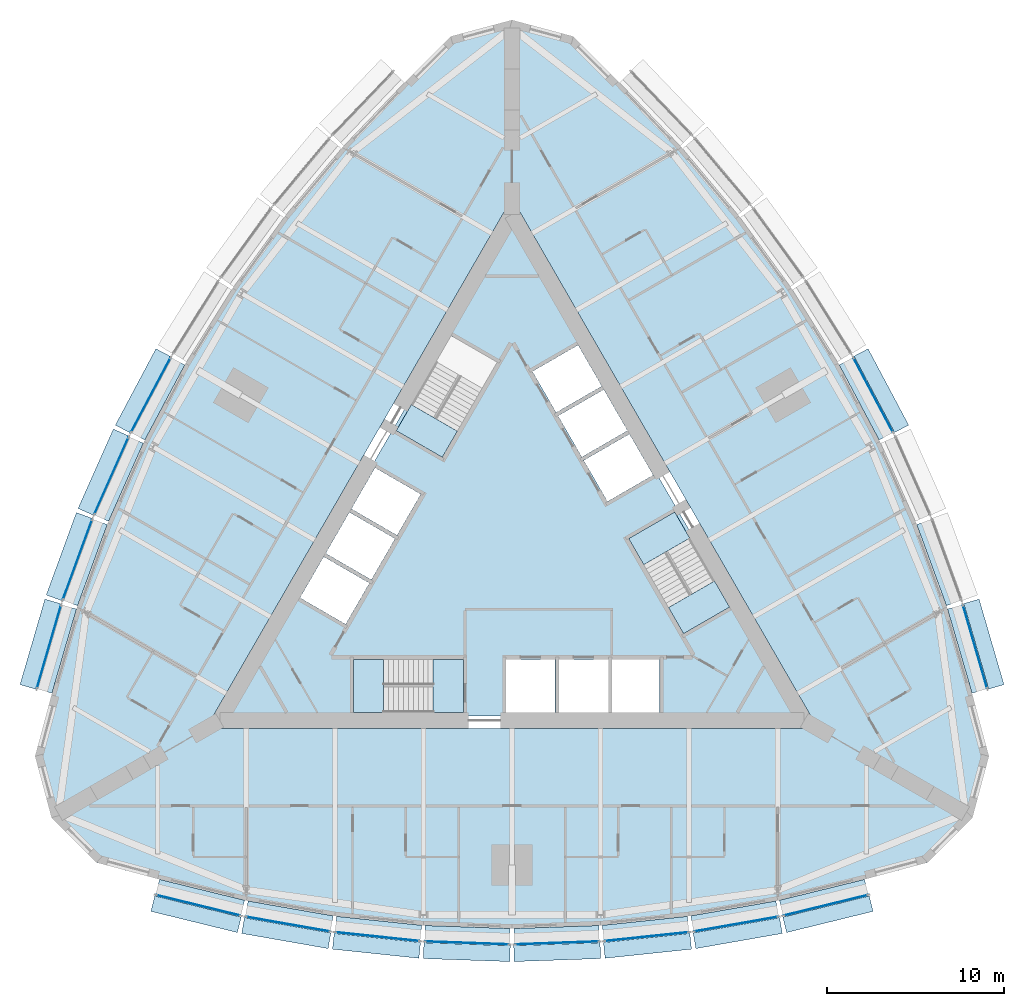
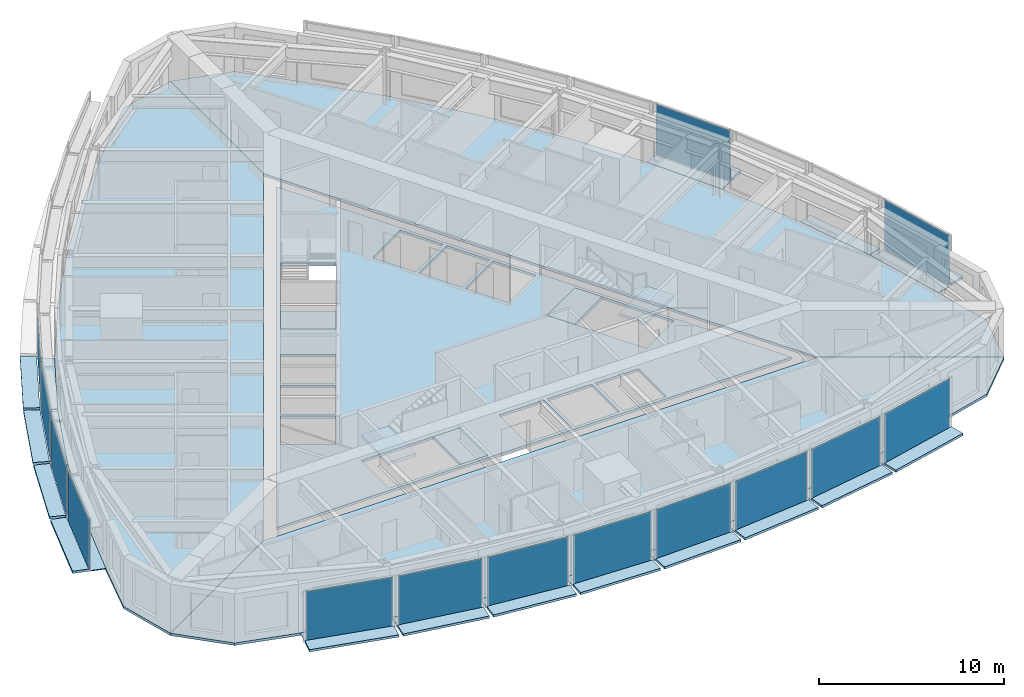
# One storey, part 6 of 14: 43 plates, 9 slabs, 17 elements without a shape of their own.
"""IFC4 building model written with IfcOpenShell, lengths in metres."""

from ifc_helpers import new_model, si_unit, direction, frame, origin, origin_2d, place, context, subcontext, project, spatial, polyline, rectangle, outline, extrude, material, layer, layer_set, type_object, element, aggregate, save


model = new_model("IFC4")

# Units and contexts
model_context = context("Model", 3, precision=1e-05, world=origin(), true_north=direction((0.0, 1.0)))
body_context = subcontext(model_context, "Body", "Model", "MODEL_VIEW")
ifc_project = project(units=[si_unit("LENGTHUNIT", "METRE"), si_unit("AREAUNIT", "SQUARE_METRE"), si_unit("VOLUMEUNIT", "CUBIC_METRE"), si_unit("PLANEANGLEUNIT", "RADIAN"), si_unit("MASSUNIT", "GRAM", prefix="KILO")], contexts=[model_context])

# Site, building, storey
site_placement = place(None, origin())
site = spatial("IfcSite", under=ifc_project, at=site_placement, CompositionType="ELEMENT")
building_placement = place(site_placement, origin())
building = spatial("IfcBuilding", under=site, at=building_placement, Name="Trikona Tower", CompositionType="ELEMENT")
storey_placement = place(building_placement, frame((0.0, 0.0, 165.699951171875)))
storey = spatial("IfcBuildingStorey", under=building, at=storey_placement, Name="L44", CompositionType="ELEMENT", Elevation=165.699951171875)

# Plates
ifc_material_1 = material(Name="Aluminium bar grating", Category="aluminium")
ifc_layer_1 = layer(ifc_material_1, 0.050048828125)
ifc_layer_set_1 = layer_set([ifc_layer_1], Name="Cavity catwalk grating")
plate_type_1 = type_object("IfcPlateType", Name="Cavity catwalk grating", PredefinedType="USERDEFINED", material=ifc_layer_set_1)
plate_1_placement = place(storey_placement, frame((-17.598876953125, -19.49072265625, -0.0498046875), z_axis=(0.0, 0.0, 1.0), x_axis=(0.971274411564, -0.237962218516, 0.0)))
element("IfcPlate", 1, at=plate_1_placement, inside=storey, type_object=plate_type_1, Name="Cavity catwalk L44-00", ObjectType="CATWALK GRATING", PredefinedType="USERDEFINED", context=body_context, shape_type="SweptSolid", body=[
    extrude(rectangle(XDim=4.947998046875, YDim=0.830078125, at=origin_2d()), origin(), (0.0, 0.0, 1.0), 0.050048828125),
])
plate_2_placement = place(storey_placement, frame((-12.571533203125, -20.54638671875, -0.0498046875), z_axis=(0.0, 0.0, 1.0), x_axis=(0.985030604067, -0.172379549401, 0.0)))
element("IfcPlate", 2, at=plate_2_placement, inside=storey, type_object=plate_type_1, Name="Cavity catwalk L44-01", ObjectType="CATWALK GRATING", PredefinedType="USERDEFINED", context=body_context, shape_type="SweptSolid", body=[
    extrude(rectangle(XDim=4.8759765625, YDim=0.830078125, at=origin_2d()), origin(), (0.0, 0.0, 1.0), 0.050048828125),
])
plate_3_placement = place(storey_placement, frame((-7.543212890625, -21.25048828125, -0.0498046875), z_axis=(0.0, 0.0, 1.0), x_axis=(0.994532653854, -0.104426052392, 0.0)))
element("IfcPlate", 3, at=plate_3_placement, inside=storey, type_object=plate_type_1, Name="Cavity catwalk L44-02", ObjectType="CATWALK GRATING", PredefinedType="USERDEFINED", context=body_context, shape_type="SweptSolid", body=[
    extrude(rectangle(XDim=4.827392578125, YDim=0.830078125, at=origin_2d()), origin(), (0.0, 0.0, 1.0), 0.050048828125),
])
for number, where, z_axis, x_axis, name in (
    (4, (-2.514404296875, -21.602294921875, -0.0498046875), (0.0, 0.0, 1.0), (0.999388082937, -0.034977988567, 0.0), "Cavity catwalk L44-03"),
    (5, (2.514404296875, -21.602294921875, -0.0498046875), (0.0, 0.0, 1.0), (0.999388082937, 0.034977988567, 0.0), "Cavity catwalk L44-04"),
):
    element("IfcPlate", number, at=place(storey_placement, frame(where, z_axis=z_axis, x_axis=x_axis)), inside=storey, type_object=plate_type_1, Name=name, ObjectType="CATWALK GRATING", PredefinedType="USERDEFINED", context=body_context, shape_type="SweptSolid", body=[
        extrude(rectangle(XDim=4.802978515625, YDim=0.830078125, at=origin_2d()), origin(), (0.0, 0.0, 1.0), 0.050048828125),
    ])
plate_4_placement = place(storey_placement, frame((7.543212890625, -21.25048828125, -0.0498046875), z_axis=(0.0, 0.0, 1.0), x_axis=(0.994532653854, 0.104426052392, 0.0)))
element("IfcPlate", 6, at=plate_4_placement, inside=storey, type_object=plate_type_1, Name="Cavity catwalk L44-05", ObjectType="CATWALK GRATING", PredefinedType="USERDEFINED", context=body_context, shape_type="SweptSolid", body=[
    extrude(rectangle(XDim=4.827392578125, YDim=0.830078125, at=origin_2d()), origin(), (0.0, 0.0, 1.0), 0.050048828125),
])
plate_5_placement = place(storey_placement, frame((12.571533203125, -20.54638671875, -0.0498046875), z_axis=(0.0, 0.0, 1.0), x_axis=(0.985030604067, 0.172379549401, 0.0)))
element("IfcPlate", 7, at=plate_5_placement, inside=storey, type_object=plate_type_1, Name="Cavity catwalk L44-06", ObjectType="CATWALK GRATING", PredefinedType="USERDEFINED", context=body_context, shape_type="SweptSolid", body=[
    extrude(rectangle(XDim=4.8759765625, YDim=0.830078125, at=origin_2d()), origin(), (0.0, 0.0, 1.0), 0.050048828125),
])
plate_6_placement = place(storey_placement, frame((17.598876953125, -19.49072265625, -0.0498046875), z_axis=(0.0, 0.0, 1.0), x_axis=(0.971274411564, 0.237962218516, 0.0)))
element("IfcPlate", 8, at=plate_6_placement, inside=storey, type_object=plate_type_1, Name="Cavity catwalk L44-07", ObjectType="CATWALK GRATING", PredefinedType="USERDEFINED", context=body_context, shape_type="SweptSolid", body=[
    extrude(rectangle(XDim=4.947998046875, YDim=0.830078125, at=origin_2d()), origin(), (0.0, 0.0, 1.0), 0.050048828125),
])
plate_7_placement = place(storey_placement, frame((25.678955078125, -5.49560546875, -0.0498046875), z_axis=(0.0, 0.0, 1.0), x_axis=(-0.279554203664, 0.960129911634, 0.0)))
element("IfcPlate", 9, at=plate_7_placement, inside=storey, type_object=plate_type_1, Name="Cavity catwalk L44-12", ObjectType="CATWALK GRATING", PredefinedType="USERDEFINED", context=body_context, shape_type="SweptSolid", body=[
    extrude(rectangle(XDim=4.94775390625, YDim=0.830078125, at=origin_2d()), origin(), (0.0, 0.0, 1.0), 0.050048828125),
])
plate_8_placement = place(storey_placement, frame((24.07958984375, -0.614013671875, -0.0498046875), z_axis=(0.0, 0.0, 1.0), x_axis=(-0.343220397324, 0.939254895575, 0.0)))
element("IfcPlate", 10, at=plate_8_placement, inside=storey, type_object=plate_type_1, Name="Cavity catwalk L44-13", ObjectType="CATWALK GRATING", PredefinedType="USERDEFINED", context=body_context, shape_type="SweptSolid", body=[
    extrude(rectangle(XDim=4.8759765625, YDim=0.830078125, at=origin_2d()), origin(), (0.0, 0.0, 1.0), 0.050048828125),
])
for number, where, z_axis, x_axis, name in (
    (11, (19.965576171875, 8.62353515625, -0.0498046875), (0.0, 0.0, 1.0), (-0.469397591494, 0.882986920118, 0.0), "Cavity catwalk L44-15"),
    (12, (-19.965576171875, 8.62353515625, -0.0498046875), (0.0, 0.0, 1.0), (-0.469397591494, -0.882986920118, 0.0), "Cavity catwalk L44-28"),
):
    element("IfcPlate", number, at=place(storey_placement, frame(where, z_axis=z_axis, x_axis=x_axis)), inside=storey, type_object=plate_type_1, Name=name, ObjectType="CATWALK GRATING", PredefinedType="USERDEFINED", context=body_context, shape_type="SweptSolid", body=[
        extrude(rectangle(XDim=4.802978515625, YDim=0.830078125, at=origin_2d()), origin(), (0.0, 0.0, 1.0), 0.050048828125),
    ])
plate_9_placement = place(storey_placement, frame((-22.175048828125, 4.092529296875, -0.0498046875), z_axis=(0.0, 0.0, 1.0), x_axis=(-0.406843467615, -0.913497888809, 0.0)))
element("IfcPlate", 13, at=plate_9_placement, inside=storey, type_object=plate_type_1, Name="Cavity catwalk L44-29", ObjectType="CATWALK GRATING", PredefinedType="USERDEFINED", context=body_context, shape_type="SweptSolid", body=[
    extrude(rectangle(XDim=4.827392578125, YDim=0.830078125, at=origin_2d()), origin(), (0.0, 0.0, 1.0), 0.050048828125),
])
plate_10_placement = place(storey_placement, frame((-24.07958984375, -0.614013671875, -0.0498046875), z_axis=(0.0, 0.0, 1.0), x_axis=(-0.343220397324, -0.939254895575, 0.0)))
element("IfcPlate", 14, at=plate_10_placement, inside=storey, type_object=plate_type_1, Name="Cavity catwalk L44-30", ObjectType="CATWALK GRATING", PredefinedType="USERDEFINED", context=body_context, shape_type="SweptSolid", body=[
    extrude(rectangle(XDim=4.8759765625, YDim=0.830078125, at=origin_2d()), origin(), (0.0, 0.0, 1.0), 0.050048828125),
])
plate_11_placement = place(storey_placement, frame((-25.678955078125, -5.49560546875, -0.0498046875), z_axis=(0.0, 0.0, 1.0), x_axis=(-0.279554203664, -0.960129911634, 0.0)))
element("IfcPlate", 15, at=plate_11_placement, inside=storey, type_object=plate_type_1, Name="Cavity catwalk L44-31", ObjectType="CATWALK GRATING", PredefinedType="USERDEFINED", context=body_context, shape_type="SweptSolid", body=[
    extrude(rectangle(XDim=4.94775390625, YDim=0.830078125, at=origin_2d()), origin(), (0.0, 0.0, 1.0), 0.050048828125),
])

# Slabs
ifc_material_2 = material(Name="Concrete f'c 5000 psi lightweight on composite steel deck", Category="concrete")
ifc_layer_2 = layer(ifc_material_2, 0.1650390625)
ifc_layer_set_2 = layer_set([ifc_layer_2], Name="Composite floor slab 165")
slab_type_1 = type_object("IfcSlabType", Name="Composite floor slab 165", PredefinedType="FLOOR", material=ifc_layer_set_2)
slab_1_placement = place(storey_placement, frame((0.0, 0.0, -0.1650390625)))
element("IfcSlab", 16, at=slab_1_placement, inside=storey, type_object=slab_type_1, Name="Floor slab L44 core", PredefinedType="FLOOR", context=body_context, shape_type="SweptSolid", body=[
    extrude(outline(polyline([(-16.06689453125, -9.2763671875), (16.06689453125, -9.2763671875), (0.0, 18.552490234375), (-16.06689453125, -9.2763671875)]), holes=[polyline([(12.285400390625, -3.126220703125), (9.185302734375, 2.2431640625), (6.587158203125, 0.7431640625), (9.687255859375, -4.626220703125), (12.285400390625, -3.126220703125)]), polyline([(8.340087890625, -9.06640625), (8.340087890625, -6.086181640625), (5.659912109375, -6.086181640625), (5.659912109375, -9.06640625), (8.340087890625, -9.06640625)]), polyline([(5.390869140625, 2.835205078125), (7.9716796875, 4.3251953125), (6.631591796875, 6.646240234375), (4.05078125, 5.15625), (5.390869140625, 2.835205078125)]), polyline([(2.600830078125, 7.667724609375), (3.94091796875, 5.3466796875), (6.521484375, 6.8369140625), (5.181640625, 9.15771484375), (2.600830078125, 7.667724609375)]), polyline([(5.43994140625, -6.086181640625), (2.659912109375, -6.086181640625), (2.659912109375, -9.06640625), (5.43994140625, -9.06640625), (5.43994140625, -6.086181640625)]), polyline([(3.731689453125, 11.669189453125), (1.15087890625, 10.17919921875), (2.490966796875, 7.858154296875), (5.071533203125, 9.34814453125), (3.731689453125, 11.669189453125)]), polyline([(-0.340087890625, -6.086181640625), (-0.340087890625, -9.06640625), (2.43994140625, -9.06640625), (2.43994140625, -6.086181640625), (-0.340087890625, -6.086181640625)]), polyline([(-3.435302734375, 12.202392578125), (-6.535400390625, 6.8330078125), (-3.937255859375, 5.3330078125), (-0.837158203125, 10.702392578125), (-3.435302734375, 12.202392578125)]), polyline([(-8.949951171875, -9.076416015625), (-2.75, -9.076416015625), (-2.75, -6.076416015625), (-8.949951171875, -6.076416015625), (-8.949951171875, -9.076416015625)]), polyline([(-5.15087890625, 3.2509765625), (-7.731689453125, 4.740966796875), (-9.071533203125, 2.419921875), (-6.490966796875, 0.929931640625), (-5.15087890625, 3.2509765625)]), polyline([(-7.94091796875, -1.581298828125), (-6.600830078125, 0.739501953125), (-9.181640625, 2.2294921875), (-10.521484375, -0.09130859375), (-7.94091796875, -1.581298828125)]), polyline([(-11.9716796875, -2.602783203125), (-9.390869140625, -4.093017578125), (-8.05078125, -1.77197265625), (-10.631591796875, -0.281982421875), (-11.9716796875, -2.602783203125)])]), origin(), (0.0, 0.0, 1.0), 0.1650390625),
])
slab_2_placement = place(storey_placement, frame((0.0, 0.0, -0.1650390625)))
element("IfcSlab", 17, at=slab_2_placement, inside=storey, type_object=slab_type_1, Name="Floor slab L44 south", PredefinedType="FLOOR", context=body_context, shape_type="SweptSolid", body=[
    extrude(outline(polyline([(23.464111328125, -17.547119140625), (26.0, -15.010986328125), (17.279296875, -9.976318359375), (-17.279296875, -9.976318359375), (-26.0, -15.010986328125), (-23.464111328125, -17.547119140625), (-20.0, -18.47509765625), (-15.0, -19.7001953125), (-10.0, -20.5751953125), (-5.0, -21.10009765625), (0.0, -21.275146484375), (5.0, -21.10009765625), (10.0, -20.5751953125), (15.0, -19.7001953125), (20.0, -18.47509765625), (23.464111328125, -17.547119140625)])), origin(), (0.0, 0.0, 1.0), 0.1650390625),
])
slab_3_placement = place(storey_placement, frame((0.0, 0.0, -0.1650390625)))
element("IfcSlab", 18, at=slab_3_placement, inside=storey, type_object=slab_type_1, Name="Floor slab L44 north-east", PredefinedType="FLOOR", context=body_context, shape_type="SweptSolid", body=[
    extrude(outline(polyline([(3.464111328125, 29.093994140625), (0.0, 30.022216796875), (0.0, 19.95263671875), (17.279296875, -9.976318359375), (26.0, -15.010986328125), (26.92822265625, -11.547119140625), (26.0, -8.0830078125), (24.560791015625, -3.140380859375), (22.818603515625, 1.62744140625), (20.773193359375, 6.219970703125), (18.4248046875, 10.6376953125), (15.773193359375, 14.880126953125), (12.818603515625, 18.947998046875), (9.560791015625, 22.840576171875), (6.0, 26.55810546875), (3.464111328125, 29.093994140625)])), origin(), (0.0, 0.0, 1.0), 0.1650390625),
])
slab_4_placement = place(storey_placement, frame((0.0, 0.0, -0.1650390625)))
element("IfcSlab", 19, at=slab_4_placement, inside=storey, type_object=slab_type_1, Name="Floor slab L44 north-west", PredefinedType="FLOOR", context=body_context, shape_type="SweptSolid", body=[
    extrude(outline(polyline([(0.0, 19.95263671875), (0.0, 30.022216796875), (-3.464111328125, 29.093994140625), (-6.0, 26.55810546875), (-9.560791015625, 22.840576171875), (-12.818603515625, 18.947998046875), (-15.773193359375, 14.880126953125), (-18.4248046875, 10.6376953125), (-20.773193359375, 6.219970703125), (-22.818603515625, 1.62744140625), (-24.560791015625, -3.140380859375), (-26.0, -8.0830078125), (-26.92822265625, -11.547119140625), (-26.0, -15.010986328125), (-17.279296875, -9.976318359375), (0.0, 19.95263671875)])), origin(), (0.0, 0.0, 1.0), 0.1650390625),
])

# Curtain wall, plate
ifc_material_3 = material(Name="Aluminium curtain wall system", Category="aluminium")
curtain_wall_type = type_object("IfcCurtainWallType", Name="Curtain wall DS2", PredefinedType="NOTDEFINED", material=ifc_material_3)
curtain_wall_1_placement = place(storey_placement, origin())
curtain_wall_1 = element("IfcCurtainWall", 20, at=curtain_wall_1_placement, inside=storey, type_object=curtain_wall_type, Name="Curtain wall DS2 L44", PredefinedType="NOTDEFINED")
ifc_material_4 = material(Name="Laminated clear glass", Category="glass")
ifc_layer_3 = layer(ifc_material_4, 0.028076171875)
ifc_layer_set_3 = layer_set([ifc_layer_3], Name="Glass panel DS2")
plate_type_2 = type_object("IfcPlateType", Name="Glass panel DS2", PredefinedType="CURTAIN_PANEL", material=ifc_layer_set_3)
plate_12_placement = place(storey_placement, frame((-17.714111328125, -19.9619140625, 0.0), z_axis=(0.0, 0.0, 1.0), x_axis=(0.971272455026, -0.237970204243, 0.0)))
plate_12 = element("IfcPlate", 21, at=plate_12_placement, type_object=plate_type_2, Name="CW-DS2 panel 1.1", PredefinedType="CURTAIN_PANEL", context=body_context, shape_type="SweptSolid", body=[
    extrude(rectangle(XDim=4.867919921875, YDim=0.028076171875, at=origin_2d()), origin(), (0.0, 0.0, 1.0), 3.320068359375),
])
aggregate(curtain_wall_1, [plate_12])

curtain_wall_2_placement = place(storey_placement, origin())
curtain_wall_2 = element("IfcCurtainWall", 22, at=curtain_wall_2_placement, inside=storey, type_object=curtain_wall_type, Name="Curtain wall DS2 L44", PredefinedType="NOTDEFINED")
plate_13_placement = place(storey_placement, frame((-12.655029296875, -21.024169921875, 0.0), z_axis=(0.0, 0.0, 1.0), x_axis=(0.985030981074, -0.17237739505, 0.0)))
plate_13 = element("IfcPlate", 23, at=plate_13_placement, type_object=plate_type_2, Name="CW-DS2 panel 1.1", PredefinedType="CURTAIN_PANEL", context=body_context, shape_type="SweptSolid", body=[
    extrude(rectangle(XDim=4.7958984375, YDim=0.028076171875, at=origin_2d()), origin(), (0.0, 0.0, 1.0), 3.320068359375),
])
aggregate(curtain_wall_2, [plate_13])

curtain_wall_3_placement = place(storey_placement, origin())
curtain_wall_3 = element("IfcCurtainWall", 24, at=curtain_wall_3_placement, inside=storey, type_object=curtain_wall_type, Name="Curtain wall DS2 L44", PredefinedType="NOTDEFINED")
plate_14_placement = place(storey_placement, frame((-7.593994140625, -21.732666015625, 0.0), z_axis=(0.0, 0.0, 1.0), x_axis=(0.994531883654, -0.104433387357, 0.0)))
plate_14 = element("IfcPlate", 25, at=plate_14_placement, type_object=plate_type_2, Name="CW-DS2 panel 1.1", PredefinedType="CURTAIN_PANEL", context=body_context, shape_type="SweptSolid", body=[
    extrude(rectangle(XDim=4.747314453125, YDim=0.028076171875, at=origin_2d()), origin(), (0.0, 0.0, 1.0), 3.320068359375),
])
aggregate(curtain_wall_3, [plate_14])

curtain_wall_4_placement = place(storey_placement, origin())
curtain_wall_4 = element("IfcCurtainWall", 26, at=curtain_wall_4_placement, inside=storey, type_object=curtain_wall_type, Name="Curtain wall DS2 L44", PredefinedType="NOTDEFINED")
plate_15_placement = place(storey_placement, frame((-2.531494140625, -22.087158203125, 0.0), z_axis=(0.0, 0.0, 1.0), x_axis=(0.99938737114, -0.034998320052, 0.0)))
plate_15 = element("IfcPlate", 27, at=plate_15_placement, type_object=plate_type_2, Name="CW-DS2 panel 1.1", PredefinedType="CURTAIN_PANEL", context=body_context, shape_type="SweptSolid", body=[
    extrude(rectangle(XDim=4.72314453125, YDim=0.028076171875, at=origin_2d()), origin(), (0.0, 0.0, 1.0), 3.320068359375),
])
aggregate(curtain_wall_4, [plate_15])

curtain_wall_5_placement = place(storey_placement, origin())
curtain_wall_5 = element("IfcCurtainWall", 28, at=curtain_wall_5_placement, inside=storey, type_object=curtain_wall_type, Name="Curtain wall DS2 L44", PredefinedType="NOTDEFINED")
plate_16_placement = place(storey_placement, frame((2.531494140625, -22.087158203125, 0.0), z_axis=(0.0, 0.0, 1.0), x_axis=(0.99938737114, 0.034998320052, 0.0)))
plate_16 = element("IfcPlate", 29, at=plate_16_placement, type_object=plate_type_2, Name="CW-DS2 panel 1.1", PredefinedType="CURTAIN_PANEL", context=body_context, shape_type="SweptSolid", body=[
    extrude(rectangle(XDim=4.72314453125, YDim=0.028076171875, at=origin_2d()), origin(), (0.0, 0.0, 1.0), 3.320068359375),
])
aggregate(curtain_wall_5, [plate_16])

curtain_wall_6_placement = place(storey_placement, origin())
curtain_wall_6 = element("IfcCurtainWall", 30, at=curtain_wall_6_placement, inside=storey, type_object=curtain_wall_type, Name="Curtain wall DS2 L44", PredefinedType="NOTDEFINED")
plate_17_placement = place(storey_placement, frame((7.593994140625, -21.732666015625, 0.0), z_axis=(0.0, 0.0, 1.0), x_axis=(0.994531883654, 0.104433387357, 0.0)))
plate_17 = element("IfcPlate", 31, at=plate_17_placement, type_object=plate_type_2, Name="CW-DS2 panel 1.1", PredefinedType="CURTAIN_PANEL", context=body_context, shape_type="SweptSolid", body=[
    extrude(rectangle(XDim=4.747314453125, YDim=0.028076171875, at=origin_2d()), origin(), (0.0, 0.0, 1.0), 3.320068359375),
])
aggregate(curtain_wall_6, [plate_17])

curtain_wall_7_placement = place(storey_placement, origin())
curtain_wall_7 = element("IfcCurtainWall", 32, at=curtain_wall_7_placement, inside=storey, type_object=curtain_wall_type, Name="Curtain wall DS2 L44", PredefinedType="NOTDEFINED")
plate_18_placement = place(storey_placement, frame((12.655029296875, -21.024169921875, 0.0), z_axis=(0.0, 0.0, 1.0), x_axis=(0.985030981074, 0.17237739505, 0.0)))
plate_18 = element("IfcPlate", 33, at=plate_18_placement, type_object=plate_type_2, Name="CW-DS2 panel 1.1", PredefinedType="CURTAIN_PANEL", context=body_context, shape_type="SweptSolid", body=[
    extrude(rectangle(XDim=4.7958984375, YDim=0.028076171875, at=origin_2d()), origin(), (0.0, 0.0, 1.0), 3.320068359375),
])
aggregate(curtain_wall_7, [plate_18])

curtain_wall_8_placement = place(storey_placement, origin())
curtain_wall_8 = element("IfcCurtainWall", 34, at=curtain_wall_8_placement, inside=storey, type_object=curtain_wall_type, Name="Curtain wall DS2 L44", PredefinedType="NOTDEFINED")
plate_19_placement = place(storey_placement, frame((17.714111328125, -19.9619140625, 0.0), z_axis=(0.0, 0.0, 1.0), x_axis=(0.971272455026, 0.237970204243, 0.0)))
plate_19 = element("IfcPlate", 35, at=plate_19_placement, type_object=plate_type_2, Name="CW-DS2 panel 1.1", PredefinedType="CURTAIN_PANEL", context=body_context, shape_type="SweptSolid", body=[
    extrude(rectangle(XDim=4.867919921875, YDim=0.028076171875, at=origin_2d()), origin(), (0.0, 0.0, 1.0), 3.320068359375),
])
aggregate(curtain_wall_8, [plate_19])

curtain_wall_9_placement = place(storey_placement, origin())
curtain_wall_9 = element("IfcCurtainWall", 36, at=curtain_wall_9_placement, inside=storey, type_object=curtain_wall_type, Name="Curtain wall DS2 L44", PredefinedType="NOTDEFINED")
plate_20_placement = place(storey_placement, frame((26.14453125, -5.360107421875, 0.0), z_axis=(0.0, 0.0, 1.0), x_axis=(-0.279543247757, 0.96013310152, 0.0)))
plate_20 = element("IfcPlate", 37, at=plate_20_placement, type_object=plate_type_2, Name="CW-DS2 panel 1.1", PredefinedType="CURTAIN_PANEL", context=body_context, shape_type="SweptSolid", body=[
    extrude(rectangle(XDim=4.867919921875, YDim=0.028076171875, at=origin_2d()), origin(), (0.0, 0.0, 1.0), 3.320068359375),
])
aggregate(curtain_wall_9, [plate_20])

curtain_wall_10_placement = place(storey_placement, origin())
curtain_wall_10 = element("IfcCurtainWall", 38, at=curtain_wall_10_placement, inside=storey, type_object=curtain_wall_type, Name="Curtain wall DS2 L44", PredefinedType="NOTDEFINED")
plate_21_placement = place(storey_placement, frame((20.393798828125, 8.851318359375, 0.0), z_axis=(0.0, 0.0, 1.0), x_axis=(-0.469380308937, 0.882996107343, 0.0)))
plate_21 = element("IfcPlate", 39, at=plate_21_placement, type_object=plate_type_2, Name="CW-DS2 panel 1.1", PredefinedType="CURTAIN_PANEL", context=body_context, shape_type="SweptSolid", body=[
    extrude(rectangle(XDim=4.72314453125, YDim=0.028076171875, at=origin_2d()), origin(), (0.0, 0.0, 1.0), 3.320068359375),
])
aggregate(curtain_wall_10, [plate_21])

curtain_wall_11_placement = place(storey_placement, origin())
curtain_wall_11 = element("IfcCurtainWall", 40, at=curtain_wall_11_placement, inside=storey, type_object=curtain_wall_type, Name="Curtain wall DS2 L44", PredefinedType="NOTDEFINED")
plate_22_placement = place(storey_placement, frame((-20.393798828125, 8.851318359375, 0.0), z_axis=(0.0, 0.0, 1.0), x_axis=(-0.469380308937, -0.882996107343, 0.0)))
plate_22 = element("IfcPlate", 41, at=plate_22_placement, type_object=plate_type_2, Name="CW-DS2 panel 1.1", PredefinedType="CURTAIN_PANEL", context=body_context, shape_type="SweptSolid", body=[
    extrude(rectangle(XDim=4.72314453125, YDim=0.028076171875, at=origin_2d()), origin(), (0.0, 0.0, 1.0), 3.320068359375),
])
aggregate(curtain_wall_11, [plate_22])

curtain_wall_12_placement = place(storey_placement, origin())
curtain_wall_12 = element("IfcCurtainWall", 42, at=curtain_wall_12_placement, inside=storey, type_object=curtain_wall_type, Name="Curtain wall DS2 L44", PredefinedType="NOTDEFINED")
plate_23_placement = place(storey_placement, frame((-22.6181640625, 4.289794921875, 0.0), z_axis=(0.0, 0.0, 1.0), x_axis=(-0.406836013132, -0.913501208767, 0.0)))
plate_23 = element("IfcPlate", 43, at=plate_23_placement, type_object=plate_type_2, Name="CW-DS2 panel 1.1", PredefinedType="CURTAIN_PANEL", context=body_context, shape_type="SweptSolid", body=[
    extrude(rectangle(XDim=4.747314453125, YDim=0.028076171875, at=origin_2d()), origin(), (0.0, 0.0, 1.0), 3.320068359375),
])
aggregate(curtain_wall_12, [plate_23])

curtain_wall_13_placement = place(storey_placement, origin())
curtain_wall_13 = element("IfcCurtainWall", 44, at=curtain_wall_13_placement, inside=storey, type_object=curtain_wall_type, Name="Curtain wall DS2 L44", PredefinedType="NOTDEFINED")
plate_24_placement = place(storey_placement, frame((-24.53515625, -0.447509765625, 0.0), z_axis=(0.0, 0.0, 1.0), x_axis=(-0.343223420143, -0.939253790978, 0.0)))
plate_24 = element("IfcPlate", 45, at=plate_24_placement, type_object=plate_type_2, Name="CW-DS2 panel 1.1", PredefinedType="CURTAIN_PANEL", context=body_context, shape_type="SweptSolid", body=[
    extrude(rectangle(XDim=4.7958984375, YDim=0.028076171875, at=origin_2d()), origin(), (0.0, 0.0, 1.0), 3.320068359375),
])
aggregate(curtain_wall_13, [plate_24])

curtain_wall_14_placement = place(storey_placement, origin())
curtain_wall_14 = element("IfcCurtainWall", 46, at=curtain_wall_14_placement, inside=storey, type_object=curtain_wall_type, Name="Curtain wall DS2 L44", PredefinedType="NOTDEFINED")
plate_25_placement = place(storey_placement, frame((-26.14453125, -5.360107421875, 0.0), z_axis=(0.0, 0.0, 1.0), x_axis=(-0.279543247757, -0.96013310152, 0.0)))
plate_25 = element("IfcPlate", 47, at=plate_25_placement, type_object=plate_type_2, Name="CW-DS2 panel 1.1", PredefinedType="CURTAIN_PANEL", context=body_context, shape_type="SweptSolid", body=[
    extrude(rectangle(XDim=4.867919921875, YDim=0.028076171875, at=origin_2d()), origin(), (0.0, 0.0, 1.0), 3.320068359375),
])
aggregate(curtain_wall_14, [plate_25])

# Plates
ifc_material_5 = material(Name="Aluminium plate fin, pale anodised, on stainless steel outriggers", Category="steel")
ifc_layer_4 = layer(ifc_material_5, 0.14990234375)
ifc_layer_set_4 = layer_set([ifc_layer_4], Name="Outer skin fin 900")
plate_type_3 = type_object("IfcPlateType", Name="Outer skin fin 900", PredefinedType="USERDEFINED", material=ifc_layer_set_4)
plate_26_placement = place(storey_placement, frame((-17.837890625, -20.466796875, 0.0), z_axis=(0.0, 0.0, 1.0), x_axis=(0.971274411564, -0.237962218516, 0.0)))
element("IfcPlate", 48, at=plate_26_placement, inside=storey, type_object=plate_type_3, Name="Outer skin fin L44-00", ObjectType="FIN", PredefinedType="USERDEFINED", context=body_context, shape_type="SweptSolid", body=[
    extrude(rectangle(XDim=5.02783203125, YDim=0.89990234375, at=origin_2d()), origin(), (0.0, 0.0, 1.0), 0.14990234375),
])
plate_27_placement = place(storey_placement, frame((-12.744873046875, -21.536376953125, 0.0), z_axis=(0.0, 0.0, 1.0), x_axis=(0.985030604067, -0.172379549401, 0.0)))
element("IfcPlate", 49, at=plate_27_placement, inside=storey, type_object=plate_type_3, Name="Outer skin fin L44-01", ObjectType="FIN", PredefinedType="USERDEFINED", context=body_context, shape_type="SweptSolid", body=[
    extrude(rectangle(XDim=4.9560546875, YDim=0.89990234375, at=origin_2d()), origin(), (0.0, 0.0, 1.0), 0.14990234375),
])
plate_28_placement = place(storey_placement, frame((-7.648193359375, -22.25, 0.0), z_axis=(0.0, 0.0, 1.0), x_axis=(0.994532653854, -0.104426052392, 0.0)))
element("IfcPlate", 50, at=plate_28_placement, inside=storey, type_object=plate_type_3, Name="Outer skin fin L44-02", ObjectType="FIN", PredefinedType="USERDEFINED", context=body_context, shape_type="SweptSolid", body=[
    extrude(rectangle(XDim=4.907470703125, YDim=0.89990234375, at=origin_2d()), origin(), (0.0, 0.0, 1.0), 0.14990234375),
])
for number, where, z_axis, x_axis, name in (
    (51, (-2.5498046875, -22.606689453125, 0.0), (0.0, 0.0, 1.0), (0.999388082937, -0.034977988567, 0.0), "Outer skin fin L44-03"),
    (52, (2.5498046875, -22.606689453125, 0.0), (0.0, 0.0, 1.0), (0.999388082937, 0.034977988567, 0.0), "Outer skin fin L44-04"),
):
    element("IfcPlate", number, at=place(storey_placement, frame(where, z_axis=z_axis, x_axis=x_axis)), inside=storey, type_object=plate_type_3, Name=name, ObjectType="FIN", PredefinedType="USERDEFINED", context=body_context, shape_type="SweptSolid", body=[
        extrude(rectangle(XDim=4.883056640625, YDim=0.89990234375, at=origin_2d()), origin(), (0.0, 0.0, 1.0), 0.14990234375),
    ])
plate_29_placement = place(storey_placement, frame((7.648193359375, -22.25, 0.0), z_axis=(0.0, 0.0, 1.0), x_axis=(0.994532653854, 0.104426052392, 0.0)))
element("IfcPlate", 53, at=plate_29_placement, inside=storey, type_object=plate_type_3, Name="Outer skin fin L44-05", ObjectType="FIN", PredefinedType="USERDEFINED", context=body_context, shape_type="SweptSolid", body=[
    extrude(rectangle(XDim=4.907470703125, YDim=0.89990234375, at=origin_2d()), origin(), (0.0, 0.0, 1.0), 0.14990234375),
])
plate_30_placement = place(storey_placement, frame((12.744873046875, -21.536376953125, 0.0), z_axis=(0.0, 0.0, 1.0), x_axis=(0.985030604067, 0.172379549401, 0.0)))
element("IfcPlate", 54, at=plate_30_placement, inside=storey, type_object=plate_type_3, Name="Outer skin fin L44-06", ObjectType="FIN", PredefinedType="USERDEFINED", context=body_context, shape_type="SweptSolid", body=[
    extrude(rectangle(XDim=4.9560546875, YDim=0.89990234375, at=origin_2d()), origin(), (0.0, 0.0, 1.0), 0.14990234375),
])
for number, where, z_axis, x_axis, name in (
    (55, (17.837890625, -20.466796875, 0.0), (0.0, 0.0, 1.0), (0.971274411564, 0.237962218516, 0.0), "Outer skin fin L44-07"),
    (56, (26.643798828125, -5.214599609375, 0.0), (0.0, 0.0, 1.0), (-0.279554203664, 0.960129911634, 0.0), "Outer skin fin L44-12"),
):
    element("IfcPlate", number, at=place(storey_placement, frame(where, z_axis=z_axis, x_axis=x_axis)), inside=storey, type_object=plate_type_3, Name=name, ObjectType="FIN", PredefinedType="USERDEFINED", context=body_context, shape_type="SweptSolid", body=[
        extrude(rectangle(XDim=5.02783203125, YDim=0.89990234375, at=origin_2d()), origin(), (0.0, 0.0, 1.0), 0.14990234375),
    ])
for number, where, z_axis, x_axis, name in (
    (57, (20.852783203125, 9.09521484375, 0.0), (0.0, 0.0, 1.0), (-0.469397591494, 0.882986920118, 0.0), "Outer skin fin L44-15"),
    (58, (-20.852783203125, 9.09521484375, 0.0), (0.0, 0.0, 1.0), (-0.469397591494, -0.882986920118, 0.0), "Outer skin fin L44-28"),
):
    element("IfcPlate", number, at=place(storey_placement, frame(where, z_axis=z_axis, x_axis=x_axis)), inside=storey, type_object=plate_type_3, Name=name, ObjectType="FIN", PredefinedType="USERDEFINED", context=body_context, shape_type="SweptSolid", body=[
        extrude(rectangle(XDim=4.883056640625, YDim=0.89990234375, at=origin_2d()), origin(), (0.0, 0.0, 1.0), 0.14990234375),
    ])
plate_31_placement = place(storey_placement, frame((-23.09326171875, 4.50146484375, 0.0), z_axis=(0.0, 0.0, 1.0), x_axis=(-0.406843467615, -0.913497888809, 0.0)))
element("IfcPlate", 59, at=plate_31_placement, inside=storey, type_object=plate_type_3, Name="Outer skin fin L44-29", ObjectType="FIN", PredefinedType="USERDEFINED", context=body_context, shape_type="SweptSolid", body=[
    extrude(rectangle(XDim=4.907470703125, YDim=0.89990234375, at=origin_2d()), origin(), (0.0, 0.0, 1.0), 0.14990234375),
])
plate_32_placement = place(storey_placement, frame((-25.0234375, -0.26904296875, 0.0), z_axis=(0.0, 0.0, 1.0), x_axis=(-0.343220397324, -0.939254895575, 0.0)))
element("IfcPlate", 60, at=plate_32_placement, inside=storey, type_object=plate_type_3, Name="Outer skin fin L44-30", ObjectType="FIN", PredefinedType="USERDEFINED", context=body_context, shape_type="SweptSolid", body=[
    extrude(rectangle(XDim=4.9560546875, YDim=0.89990234375, at=origin_2d()), origin(), (0.0, 0.0, 1.0), 0.14990234375),
])
plate_33_placement = place(storey_placement, frame((-26.643798828125, -5.214599609375, 0.0), z_axis=(0.0, 0.0, 1.0), x_axis=(-0.279554203664, -0.960129911634, 0.0)))
element("IfcPlate", 61, at=plate_33_placement, inside=storey, type_object=plate_type_3, Name="Outer skin fin L44-31", ObjectType="FIN", PredefinedType="USERDEFINED", context=body_context, shape_type="SweptSolid", body=[
    extrude(rectangle(XDim=5.02783203125, YDim=0.89990234375, at=origin_2d()), origin(), (0.0, 0.0, 1.0), 0.14990234375),
])

# Stair, slabs
ifc_material_6 = material(Name="Concrete f'c 5000 psi", Category="concrete")
stair_type = type_object("IfcStairType", Name="Core stair", PredefinedType="HALF_TURN_STAIR", material=ifc_material_6)
stair_1_placement = place(storey_placement, origin())
stair_1 = element("IfcStair", 62, at=stair_1_placement, inside=storey, type_object=stair_type, Name="Stair A L44", PredefinedType="HALF_TURN_STAIR")
ifc_material_7 = material(Name="Concrete f'c 5000 psi", Category="concrete")
ifc_layer_5 = layer(ifc_material_7, 0.199951171875)
ifc_layer_set_5 = layer_set([ifc_layer_5], Name="Stair landing 200")
slab_type_2 = type_object("IfcSlabType", Name="Stair landing 200", PredefinedType="LANDING", material=ifc_layer_set_5)
slab_5_placement = place(storey_placement, frame((0.0, 0.0, -0.199951171875)))
slab_5 = element("IfcSlab", 63, at=slab_5_placement, type_object=slab_type_2, Name="ST-A landing 1", PredefinedType="LANDING", context=body_context, shape_type="SweptSolid", body=[
    extrude(outline(polyline([(-4.452880859375, -6.076416015625), (-2.75, -6.076416015625), (-2.75, -9.076416015625), (-4.452880859375, -9.076416015625), (-4.452880859375, -6.076416015625)])), origin(), (0.0, 0.0, 1.0), 0.199951171875),
])
slab_6_placement = place(storey_placement, frame((0.0, 0.0, 1.5)))
slab_6 = element("IfcSlab", 64, at=slab_6_placement, type_object=slab_type_2, Name="ST-A landing 2", PredefinedType="LANDING", context=body_context, shape_type="SweptSolid", body=[
    extrude(outline(polyline([(-8.949951171875, -6.076416015625), (-7.2470703125, -6.076416015625), (-7.2470703125, -9.076416015625), (-8.949951171875, -9.076416015625), (-8.949951171875, -6.076416015625)])), origin(), (0.0, 0.0, 1.0), 0.199951171875),
])
aggregate(stair_1, [slab_5, slab_6])

stair_2_placement = place(storey_placement, origin())
stair_2 = element("IfcStair", 65, at=stair_2_placement, inside=storey, type_object=stair_type, Name="Stair B L44", PredefinedType="HALF_TURN_STAIR")
slab_7_placement = place(storey_placement, frame((0.0, 0.0, -0.199951171875)))
slab_7 = element("IfcSlab", 66, at=slab_7_placement, type_object=slab_type_2, Name="ST-B landing 1", PredefinedType="LANDING", context=body_context, shape_type="SweptSolid", body=[
    extrude(outline(polyline([(7.438720703125, -0.731689453125), (6.587158203125, 0.7431640625), (9.185302734375, 2.2431640625), (10.036865234375, 0.768310546875), (7.438720703125, -0.731689453125)])), origin(), (0.0, 0.0, 1.0), 0.199951171875),
])
slab_8_placement = place(storey_placement, frame((0.0, 0.0, 1.5)))
slab_8 = element("IfcSlab", 67, at=slab_8_placement, type_object=slab_type_2, Name="ST-B landing 2", PredefinedType="LANDING", context=body_context, shape_type="SweptSolid", body=[
    extrude(outline(polyline([(9.687255859375, -4.626220703125), (8.835693359375, -3.1513671875), (11.433837890625, -1.6513671875), (12.285400390625, -3.126220703125), (9.687255859375, -4.626220703125)])), origin(), (0.0, 0.0, 1.0), 0.199951171875),
])
aggregate(stair_2, [slab_7, slab_8])

# Stair, slab
stair_3_placement = place(storey_placement, origin())
stair_3 = element("IfcStair", 68, at=stair_3_placement, inside=storey, type_object=stair_type, Name="Stair C L44", PredefinedType="HALF_TURN_STAIR")
slab_9_placement = place(storey_placement, frame((0.0, 0.0, -0.199951171875)))
slab_9 = element("IfcSlab", 69, at=slab_9_placement, type_object=slab_type_2, Name="ST-C landing 1", PredefinedType="LANDING", context=body_context, shape_type="SweptSolid", body=[
    extrude(outline(polyline([(-3.085693359375, 6.807861328125), (-3.937255859375, 5.3330078125), (-6.535400390625, 6.8330078125), (-5.683837890625, 8.307861328125), (-3.085693359375, 6.807861328125)])), origin(), (0.0, 0.0, 1.0), 0.199951171875),
])
aggregate(stair_3, [slab_9])

save(model, "model.ifc")
